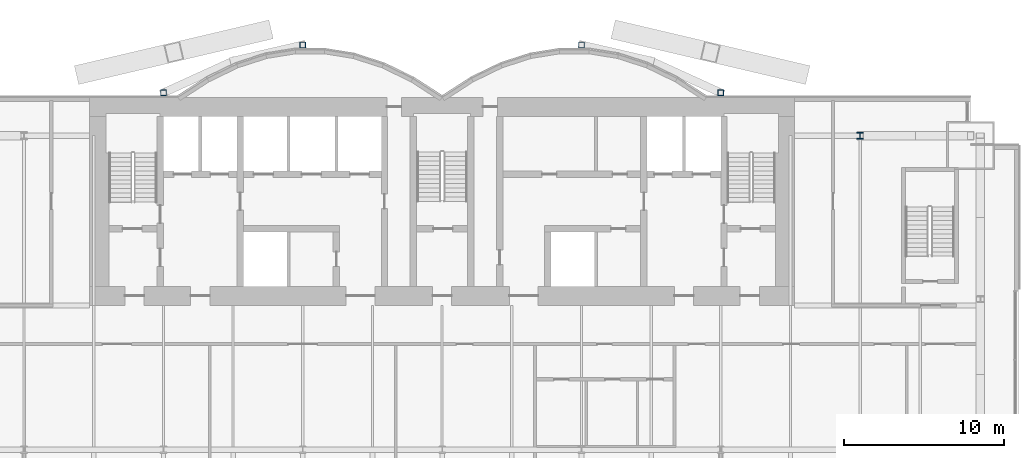
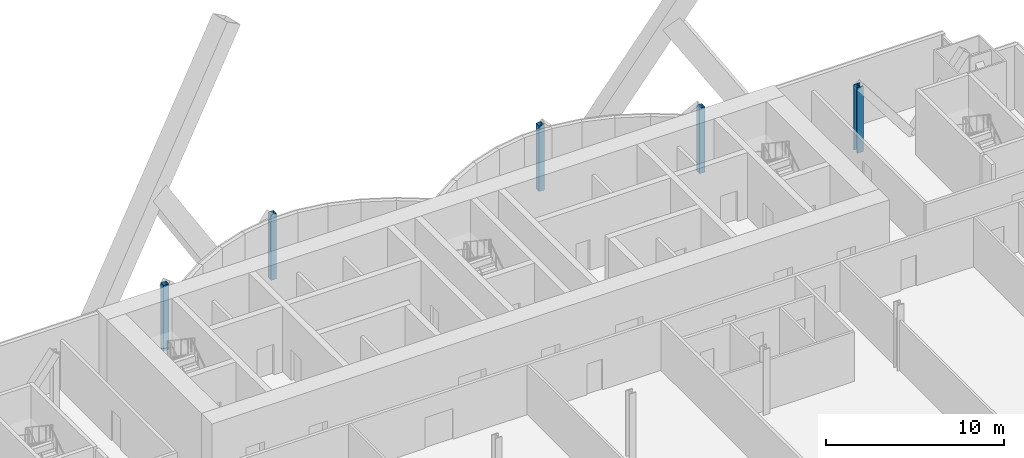
# One storey, part 2 of 23: 5 columns.
"""IFC4 building model written with IfcOpenShell, lengths in metres."""

import ifcopenshell
import ifcopenshell.guid

model = None  # the IFC model being written
_history = None  # IfcOwnerHistory: only IFC2X3 demands one
_inside = {}  # id of a spatial element -> (the spatial element, [elements in it])
_under = {}  # id of a project, library or spatial element -> (it, [spatial elements below it])
_declared = {}  # id of a project -> (the project, [libraries it declares])
_typed = {}  # id of a type object -> (the type object, [elements of that type])
_made_of = {}  # id of a material, layer set ... -> (it, [elements and type objects made of it])


def new_model(schema):
    """Start an empty IFC model of exactly this schema.

    Asked for "IFC4X3", IfcOpenShell would pick the latest addendum, in which some entities
    have other attributes; the version numbers below select the first issue.
    IFC2X3 requires an IfcOwnerHistory on every rooted entity: one is made here for all.
    """
    global model, _history
    if schema == "IFC4X3":
        model = ifcopenshell.file(schema_version=(4, 3, 0, 0))
    else:
        model = ifcopenshell.file(schema=schema)
    _inside.clear()
    _under.clear()
    _declared.clear()
    _typed.clear()
    _made_of.clear()
    _history = None
    if model.schema == "IFC2X3":
        org = make("IfcOrganization", Name="unknown")
        user = make(
            "IfcPersonAndOrganization",
            ThePerson=make("IfcPerson", FamilyName="unknown"),
            TheOrganization=org,
        )
        app = make(
            "IfcApplication",
            ApplicationDeveloper=org,
            Version="unknown",
            ApplicationFullName="unknown",
            ApplicationIdentifier="unknown",
        )
        _history = make(
            "IfcOwnerHistory",
            OwningUser=user,
            OwningApplication=app,
            ChangeAction="ADDED",
            CreationDate=0,
        )
    return model


def make(cls, **values):
    """One entity of the class cls with the attributes given. An attribute that is None is left unset."""
    return model.create_entity(
        cls, **{name: value for name, value in values.items() if value is not None}
    )


def rooted(cls, **values):
    """An entity with a GlobalId (a new one), such as an element, a storey or a relation."""
    return make(cls, GlobalId=ifcopenshell.guid.new(), OwnerHistory=_history, **values)


def si_unit(unit_type, name, prefix=None):
    """IfcSIUnit, for example si_unit("LENGTHUNIT", "METRE", prefix="MILLI")."""
    return make("IfcSIUnit", UnitType=unit_type, Prefix=prefix, Name=name)


def assignment(units):
    """IfcUnitAssignment: the units of a project."""
    return None if units is None else make("IfcUnitAssignment", Units=units)


def point(xyz):
    """IfcCartesianPoint."""
    return None if xyz is None else make("IfcCartesianPoint", Coordinates=xyz)


def direction(xyz):
    """IfcDirection."""
    return None if xyz is None else make("IfcDirection", DirectionRatios=xyz)


def frame(location, z_axis=None, x_axis=None):
    """IfcAxis2Placement3D, a coordinate frame: its origin and axes. An axis left out is left unset."""
    return make(
        "IfcAxis2Placement3D",
        Location=point(location),
        Axis=direction(z_axis),
        RefDirection=direction(x_axis),
    )


def frame_2d(location, x_axis=None):
    """IfcAxis2Placement2D, a coordinate frame in the plane: its origin and x axis."""
    return make(
        "IfcAxis2Placement2D", Location=point(location), RefDirection=direction(x_axis)
    )


def origin():
    """The frame at (0, 0, 0) with its axes left unset."""
    return frame((0.0, 0.0, 0.0))


def origin_2d():
    """The frame at (0, 0) in the plane with its x axis left unset."""
    return frame_2d((0.0, 0.0))


def place(relative_to, where):
    """IfcLocalPlacement: puts the frame where relative to a parent placement (None: the world)."""
    return make(
        "IfcLocalPlacement", PlacementRelTo=relative_to, RelativePlacement=where
    )


def context(
    kind, dimensions, precision=None, world=None, true_north=None, identifier=None
):
    """IfcGeometricRepresentationContext, for example the 3D "Model" context."""
    return make(
        "IfcGeometricRepresentationContext",
        ContextIdentifier=identifier,
        ContextType=kind,
        CoordinateSpaceDimension=dimensions,
        Precision=precision,
        WorldCoordinateSystem=world,
        TrueNorth=true_north,
    )


def subcontext(parent, identifier, kind, view, scale=None):
    """IfcGeometricRepresentationSubContext, for example "Body" below "Model"."""
    return make(
        "IfcGeometricRepresentationSubContext",
        ContextIdentifier=identifier,
        ContextType=kind,
        ParentContext=parent,
        TargetScale=scale,
        TargetView=view,
    )


def project(units=None, contexts=None):
    """IfcProject with its units and contexts."""
    return rooted(
        "IfcProject",
        Name="project",
        RepresentationContexts=contexts,
        UnitsInContext=assignment(units),
    )


def spatial(cls, under=None, at=None, **own):
    """A site, building, storey or space (cls), placed at a placement, below another one or the project."""
    s = rooted(cls, ObjectPlacement=at, **own)
    if under is not None:
        _under.setdefault(under.id(), (under, []))[1].append(s)
    return s


def profile(cls, at=None, kind="AREA", **sizes):
    """A parametric profile (cls). Its sizes go by their IFC names, for example OverallWidth=200.0."""
    return make(cls, ProfileType=kind, Position=at, **sizes)


def hollow_rectangle(**sizes):
    """IfcRectangleHollowProfileDef."""
    return profile("IfcRectangleHollowProfileDef", **sizes)


def i_section(**sizes):
    """IfcIShapeProfileDef."""
    return profile("IfcIShapeProfileDef", **sizes)


def extrude(swept, where, along, depth):
    """IfcExtrudedAreaSolid: the profile swept, set in the frame where, extruded along a direction by depth."""
    return make(
        "IfcExtrudedAreaSolid",
        SweptArea=swept,
        Position=where,
        ExtrudedDirection=direction(along),
        Depth=depth,
    )


def shape(context_of_items, identifier, shape_type, items):
    """IfcShapeRepresentation: the items that make up one representation, for example the "Body"."""
    return make(
        "IfcShapeRepresentation",
        ContextOfItems=context_of_items,
        RepresentationIdentifier=identifier,
        RepresentationType=shape_type,
        Items=items,
    )


def material(Name=None, Category=None):
    """IfcMaterial."""
    return make("IfcMaterial", Name=Name, Category=Category)


def material_profile(
    of_material, cross_section, Name=None, Category=None, Priority=None
):
    """IfcMaterialProfile: a cross section and its material."""
    return make(
        "IfcMaterialProfile",
        Name=Name,
        Material=of_material,
        Profile=cross_section,
        Priority=Priority,
        Category=Category,
    )


def profile_set(profiles, Name=None, composite=None):
    """IfcMaterialProfileSet."""
    return make(
        "IfcMaterialProfileSet",
        Name=Name,
        MaterialProfiles=profiles,
        CompositeProfile=composite,
    )


def made_of(thing, what):
    """Note that an element or type object is made of a material, layer set ...; save() writes the relation."""
    if what is not None:
        _made_of.setdefault(what.id(), (what, []))[1].append(thing)
    return thing


def type_object(cls, material=None, **own):
    """A type object (cls), such as IfcWallType, which elements share."""
    return made_of(rooted(cls, **own), material)


def element(
    cls,
    number,
    at=None,
    inside=None,
    cuts=None,
    type_object=None,
    material=None,
    context=None,
    identifier="Body",
    shape_type=None,
    held_by="IfcProductDefinitionShape",
    body=None,
    shapes=None,
    **own,
):
    """One element of the class cls, such as IfcWall. Its Tag is "e" and its number.

    at: its placement. inside: the storey or other place that contains it. cuts: it is an
    opening in that element (IfcRelVoidsElement). A single representation is given by context,
    identifier, shape_type and body (its items); several are given by shapes. held_by: the class
    of the entity that holds the representations. save() writes the other relations.
    """
    e = rooted(cls, Tag="e%d" % number, ObjectPlacement=at, **own)
    if body is not None:
        shapes = [shape(context, identifier, shape_type, body)]
    if shapes is not None:
        e.Representation = make(held_by, Representations=shapes)
    if inside is not None:
        _inside.setdefault(inside.id(), (inside, []))[1].append(e)
    if cuts is not None:
        rooted(
            "IfcRelVoidsElement", RelatingBuildingElement=cuts, RelatedOpeningElement=e
        )
    if type_object is not None:
        _typed.setdefault(type_object.id(), (type_object, []))[1].append(e)
    return made_of(e, material)


def aggregate(whole, parts):
    """IfcRelAggregates: a whole, such as a stair, and the parts it consists of."""
    return rooted("IfcRelAggregates", RelatingObject=whole, RelatedObjects=parts)


def save(model, path):
    """Write the relations noted so far, then the file.

    IfcRelAggregates (storeys below a building ...), IfcRelContainedInSpatialStructure (elements
    in a storey), IfcRelDefinesByType, IfcRelAssociatesMaterial and IfcRelDeclares: one each for
    every whole, place, type object, material and project.
    """
    for whole, parts in _under.values():
        aggregate(whole, parts)
    for where, things in _inside.values():
        rooted(
            "IfcRelContainedInSpatialStructure",
            RelatedElements=things,
            RelatingStructure=where,
        )
    for kind, things in _typed.values():
        rooted("IfcRelDefinesByType", RelatedObjects=things, RelatingType=kind)
    for what, things in _made_of.values():
        rooted("IfcRelAssociatesMaterial", RelatedObjects=things, RelatingMaterial=what)
    for by, libraries in _declared.values():
        rooted("IfcRelDeclares", RelatingContext=by, RelatedDefinitions=libraries)
    model.write(path)


model = new_model("IFC4")

# Units and contexts
model_context = context("Model", 3, precision=1e-05, world=origin(), true_north=direction((0.0, 1.0)))
body_context = subcontext(model_context, "Body", "Model", "MODEL_VIEW")
ifc_project = project(units=[si_unit("LENGTHUNIT", "METRE"), si_unit("AREAUNIT", "SQUARE_METRE"), si_unit("VOLUMEUNIT", "CUBIC_METRE"), si_unit("PLANEANGLEUNIT", "RADIAN"), si_unit("MASSUNIT", "GRAM", prefix="KILO")], contexts=[model_context])

# Site, building, storey
site_placement = place(None, origin())
site = spatial("IfcSite", under=ifc_project, at=site_placement, CompositionType="ELEMENT")
building_placement = place(site_placement, origin())
building = spatial("IfcBuilding", under=site, at=building_placement, Name="Bicima Exchange Tower", CompositionType="ELEMENT")
storey_placement = place(building_placement, frame((0.0, 0.0, 53.0)))
storey = spatial("IfcBuildingStorey", under=building, at=storey_placement, Name="L10", CompositionType="ELEMENT", Elevation=53.0)

# Columns
ifc_material_1 = material(Name="Steel ASTM A992 Gr 50", Category="steel")
ifc_material_profile_1 = material_profile(ifc_material_1, i_section(OverallWidth=0.406494140625, OverallDepth=0.41650390625, WebThickness=0.030029296875, FlangeThickness=0.048095703125, at=origin_2d()))
ifc_profile_set_1 = profile_set([ifc_material_profile_1], Name="Steel ASTM A992 Gr 50")
column_type_1 = type_object("IfcColumnType", Name="Perimeter column W14x257", PredefinedType="COLUMN", material=ifc_profile_set_1)
column_placement = place(storey_placement, frame((26.10009765625, -2.39990234375, 0.0), z_axis=(0.0, 0.0, 1.0), x_axis=(1.0, 0.0, 0.0)))
element("IfcColumn", 1, at=column_placement, inside=storey, type_object=column_type_1, Name="Perimeter column grav+26.1r", PredefinedType="COLUMN", context=body_context, shape_type="SweptSolid", body=[
    extrude(i_section(OverallWidth=0.406494140625, OverallDepth=0.41650390625, WebThickness=0.030029296875, FlangeThickness=0.048095703125, at=origin_2d()), origin(), (0.0, 0.0, 1.0), 4.5),
])
ifc_material_2 = material(Name="Steel ASTM A572 Gr 50", Category="steel")
ifc_material_profile_2 = material_profile(ifc_material_2, hollow_rectangle(XDim=0.355712890625, YDim=0.355712890625, WallThickness=0.01171875, at=origin_2d()))
ifc_profile_set_2 = profile_set([ifc_material_profile_2], Name="Steel ASTM A572 Gr 50")
column_type_2 = type_object("IfcColumnType", Name="Rear pilaster HSS14x14x1/2", PredefinedType="COLUMN", material=ifc_profile_set_2)
for number, where, z_axis, x_axis, name in (
    (2, (-8.699951171875, 3.26904296875, 0.0), (0.0, 0.0, 1.0), (1.0, 0.0, 0.0), "Rear pilaster rexo-8.7r"),
    (3, (-17.39990234375, 0.278076171875, 0.0), (0.0, 0.0, 1.0), (1.0, 0.0, 0.0), "Rear pilaster rexo-17.4r"),
    (4, (8.699951171875, 3.26904296875, 0.0), (0.0, 0.0, 1.0), (1.0, 0.0, 0.0), "Rear pilaster rexo+8.7r"),
    (5, (17.39990234375, 0.278076171875, 0.0), (0.0, 0.0, 1.0), (1.0, 0.0, 0.0), "Rear pilaster rexo+17.4r"),
):
    element("IfcColumn", number, at=place(storey_placement, frame(where, z_axis=z_axis, x_axis=x_axis)), inside=storey, type_object=column_type_2, Name=name, PredefinedType="COLUMN", context=body_context, shape_type="SweptSolid", body=[
        extrude(hollow_rectangle(XDim=0.355712890625, YDim=0.355712890625, WallThickness=0.01171875, at=origin_2d()), origin(), (0.0, 0.0, 1.0), 4.5),
    ])

save(model, "model.ifc")
